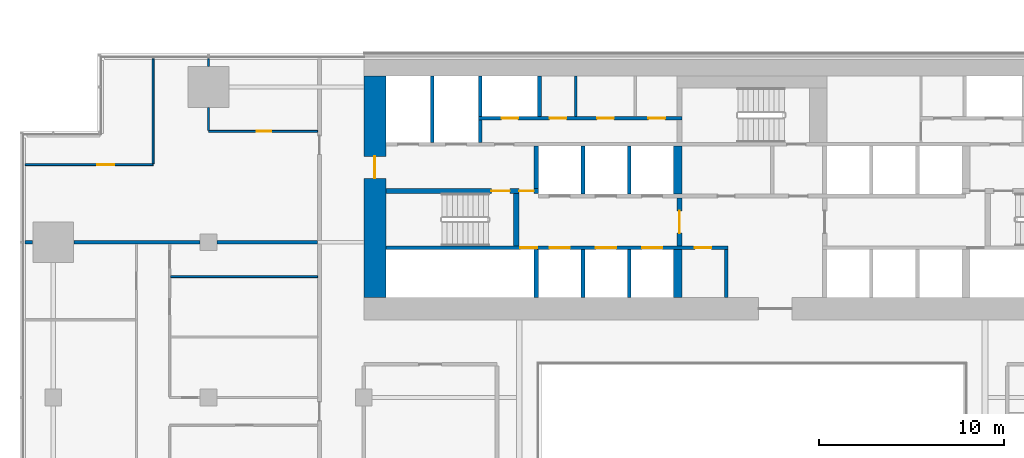
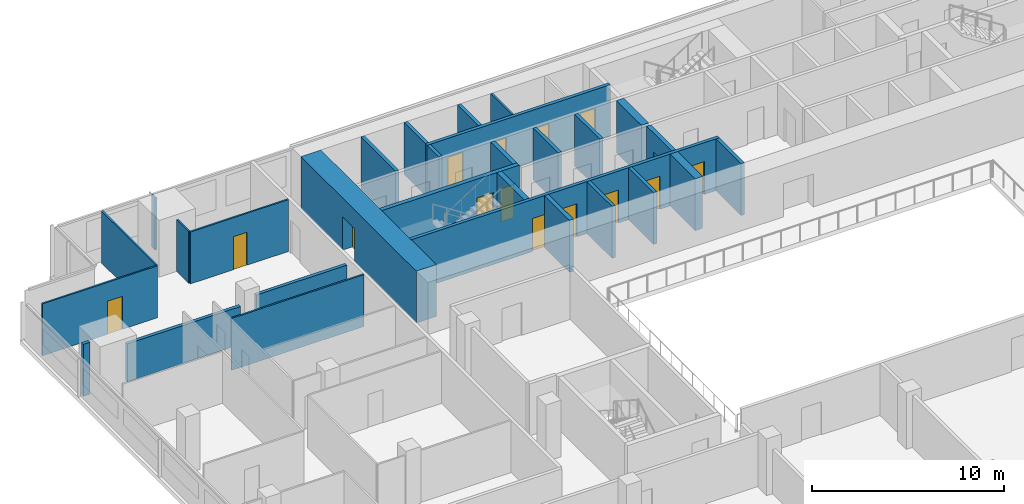
# One storey, part 19 of 25: 29 walls, 15 doors, 15 openings.
"""IFC4 building model written with IfcOpenShell, lengths in metres."""

from ifc_helpers import new_model, si_unit, direction, frame, frame_2d, origin, place, context, subcontext, project, spatial, rectangle, extrude, material, layer, layer_set, type_object, element, fill, save


model = new_model("IFC4")

# Units and contexts
model_context = context("Model", 3, precision=1e-05, world=origin(), true_north=direction((0.0, 1.0)))
body_context = subcontext(model_context, "Body", "Model", "MODEL_VIEW")
ifc_project = project(units=[si_unit("LENGTHUNIT", "METRE"), si_unit("AREAUNIT", "SQUARE_METRE"), si_unit("VOLUMEUNIT", "CUBIC_METRE"), si_unit("PLANEANGLEUNIT", "RADIAN"), si_unit("MASSUNIT", "GRAM", prefix="KILO")], contexts=[model_context])

# Site, building, storey
site_placement = place(None, origin())
site = spatial("IfcSite", under=ifc_project, at=site_placement, CompositionType="ELEMENT")
building_placement = place(site_placement, origin())
building = spatial("IfcBuilding", under=site, at=building_placement, Name="Saffron Gate Tower", CompositionType="ELEMENT")
storey_placement = place(building_placement, frame((0.0, 0.0, 80.39990234375)))
storey = spatial("IfcBuildingStorey", under=building, at=storey_placement, Name="L19", CompositionType="ELEMENT", Elevation=80.39990234375)

# Wall, opening, door
ifc_material_1 = material(Name="Concrete C70", Category="concrete")
ifc_layer_1 = layer(ifc_material_1, 1.199951171875)
ifc_layer_set_1 = layer_set([ifc_layer_1], Name="CW1 RC core wall 1200 C70")
wall_type_1 = type_object("IfcWallType", Name="CW1 RC core wall 1200 C70", PredefinedType="SOLIDWALL", material=ifc_layer_set_1)
wall_1_placement = place(storey_placement, frame((67.199951171875, 62.39990234375, 0.0), z_axis=(0.0, 0.0, 1.0), x_axis=(0.0, 1.0, 0.0)))
wall_1 = element("IfcWall", 1, at=wall_1_placement, inside=storey, type_object=wall_type_1, Name="Wall CW1-L19-3", PredefinedType="SOLIDWALL", context=body_context, shape_type="SweptSolid", body=[
    extrude(rectangle(XDim=12.0, YDim=1.199951171875, at=frame_2d((6.0, 0.0))), origin(), (0.0, 0.0, 1.0), 3.300048828125),
])
opening_1_placement = place(wall_1_placement, frame((6.449951171875, 0.0, 0.0)))
opening_1 = element("IfcOpeningElement", 2, at=opening_1_placement, cuts=wall_1, Name="Opening CR-10", PredefinedType="OPENING", context=body_context, shape_type="SweptSolid", body=[
    extrude(rectangle(XDim=1.199951171875, YDim=2.10009765625, at=frame_2d((0.60009765625, 1.050048828125))), frame((0.0, 0.60986328125, 0.0), z_axis=(0.0, -1.0, 0.0), x_axis=(1.0, 0.0, 0.0)), (0.0, 0.0, 1.0), 1.219970703125),
])
ifc_material_2 = material(Name="Steel fire door set", Category="steel")
door_type_1 = type_object("IfcDoorType", Name="CD7 Core entrance door 1200x2100 EI 120", OperationType="NOTDEFINED", PredefinedType="DOOR", material=ifc_material_2)
door_1_placement = place(opening_1_placement, origin())
door_1 = element("IfcDoor", 3, at=door_1_placement, inside=storey, type_object=door_type_1, Name="DOOR CR-10", OperationType="SINGLE_SWING_LEFT", OverallHeight=2.10009765625, OverallWidth=1.199951171875, PredefinedType="DOOR", context=body_context, shape_type="SweptSolid", body=[
    extrude(rectangle(XDim=1.199951171875, YDim=2.10009765625, at=frame_2d((0.60009765625, 1.050048828125))), frame((0.0, 0.02490234375, 0.0), z_axis=(0.0, -1.0, 0.0), x_axis=(1.0, 0.0, 0.0)), (0.0, 0.0, 1.0), 0.050048828125),
])
fill(opening_1, door_1)

# Walls
ifc_material_3 = material(Name="Gypsum board partition on steel studs", Category="steel")
ifc_layer_2 = layer(ifc_material_3, 0.199951171875)
ifc_layer_set_2 = layer_set([ifc_layer_2], Name="CW10 Core partition 200")
wall_type_2 = type_object("IfcWallType", Name="CW10 Core partition 200", PredefinedType="PARTITIONING", material=ifc_layer_set_2)
wall_2_placement = place(storey_placement, frame((86.199951171875, 62.39990234375, 0.0), z_axis=(0.0, 0.0, 1.0), x_axis=(0.0, 1.0, 0.0)))
element("IfcWall", 4, at=wall_2_placement, inside=storey, type_object=wall_type_2, Name="Wall CW10-L19-9", PredefinedType="PARTITIONING", context=body_context, shape_type="SweptSolid", body=[
    extrude(rectangle(XDim=2.60009765625, YDim=0.199951171875, at=frame_2d((1.300048828125, 0.0))), origin(), (0.0, 0.0, 1.0), 3.300048828125),
])
ifc_layer_3 = layer(ifc_material_1, 0.25)
ifc_layer_set_3 = layer_set([ifc_layer_3], Name="CW2 RC core wall 250 C70")
wall_type_3 = type_object("IfcWallType", Name="CW2 RC core wall 250 C70", PredefinedType="SOLIDWALL", material=ifc_layer_set_3)
wall_3_placement = place(storey_placement, frame((75.925048828125, 62.39990234375, 0.0), z_axis=(0.0, 0.0, 1.0), x_axis=(0.0, 1.0, 0.0)))
element("IfcWall", 5, at=wall_3_placement, inside=storey, type_object=wall_type_3, Name="Wall CW2-L19-5", PredefinedType="SOLIDWALL", context=body_context, shape_type="SweptSolid", body=[
    extrude(rectangle(XDim=2.60009765625, YDim=0.25, at=frame_2d((1.300048828125, 0.0))), origin(), (0.0, 0.0, 1.0), 3.300048828125),
])

# Wall, opening, door
wall_4_placement = place(storey_placement, frame((83.675048828125, 65.199951171875, 0.0), z_axis=(0.0, 0.0, 1.0), x_axis=(0.0, 1.0, 0.0)))
wall_4 = element("IfcWall", 6, at=wall_4_placement, inside=storey, type_object=wall_type_3, Name="Wall CW2-L19-17", PredefinedType="SOLIDWALL", context=body_context, shape_type="SweptSolid", body=[
    extrude(rectangle(XDim=2.60009765625, YDim=0.25, at=frame_2d((1.300048828125, 0.0))), origin(), (0.0, 0.0, 1.0), 3.300048828125),
])
opening_2_placement = place(wall_4_placement, frame((0.699951171875, 0.0, 0.0)))
opening_2 = element("IfcOpeningElement", 7, at=opening_2_placement, cuts=wall_4, Name="Opening CR-07", PredefinedType="OPENING", context=body_context, shape_type="SweptSolid", body=[
    extrude(rectangle(XDim=1.199951171875, YDim=2.10009765625, at=frame_2d((0.60009765625, 1.050048828125))), frame((0.0, 0.135009765625, 0.0), z_axis=(0.0, -1.0, 0.0), x_axis=(1.0, 0.0, 0.0)), (0.0, 0.0, 1.0), 0.27001953125),
])
door_type_2 = type_object("IfcDoorType", Name="CD3 Lobby door 1200x2100 EI 120", OperationType="NOTDEFINED", PredefinedType="DOOR", material=ifc_material_2)
door_2_placement = place(opening_2_placement, origin())
door_2 = element("IfcDoor", 8, at=door_2_placement, inside=storey, type_object=door_type_2, Name="DOOR CR-07", OperationType="SINGLE_SWING_RIGHT", OverallHeight=2.10009765625, OverallWidth=1.199951171875, PredefinedType="DOOR", context=body_context, shape_type="SweptSolid", body=[
    extrude(rectangle(XDim=1.199951171875, YDim=2.10009765625, at=frame_2d((0.60009765625, 1.050048828125))), frame((0.0, 0.02490234375, 0.0), z_axis=(0.0, -1.0, 0.0), x_axis=(1.0, 0.0, 0.0)), (0.0, 0.0, 1.0), 0.050048828125),
])
fill(opening_2, door_2)

# Wall, openings, doors
wall_5_placement = place(storey_placement, frame((67.800048828125, 68.175048828125, 0.0), z_axis=(0.0, 0.0, 1.0), x_axis=(1.0, 0.0, 0.0)))
wall_5 = element("IfcWall", 9, at=wall_5_placement, inside=storey, type_object=wall_type_3, Name="Wall CW2-L19-29", PredefinedType="SOLIDWALL", context=body_context, shape_type="SweptSolid", body=[
    extrude(rectangle(XDim=8.25, YDim=0.25, at=frame_2d((4.125, 0.0))), origin(), (0.0, 0.0, 1.0), 3.300048828125),
])
opening_3_placement = place(wall_5_placement, frame((5.699951171875, 0.0, 0.0)))
opening_3 = element("IfcOpeningElement", 10, at=opening_3_placement, cuts=wall_5, Name="Opening CR-15", PredefinedType="OPENING", context=body_context, shape_type="SweptSolid", body=[
    extrude(rectangle(XDim=1.0, YDim=2.10009765625, at=frame_2d((0.5, 1.050048828125))), frame((0.0, 0.135009765625, 0.0), z_axis=(0.0, -1.0, 0.0), x_axis=(1.0, 0.0, 0.0)), (0.0, 0.0, 1.0), 0.27001953125),
])
opening_4_placement = place(wall_5_placement, frame((7.199951171875, 0.0, 0.0)))
opening_4 = element("IfcOpeningElement", 11, at=opening_4_placement, cuts=wall_5, Name="Opening CR-06", PredefinedType="OPENING", context=body_context, shape_type="SweptSolid", body=[
    extrude(rectangle(XDim=0.800048828125, YDim=2.10009765625, at=frame_2d((0.39990234375, 1.050048828125))), frame((0.0, 0.135009765625, 0.0), z_axis=(0.0, -1.0, 0.0), x_axis=(1.0, 0.0, 0.0)), (0.0, 0.0, 1.0), 0.27001953125),
])
door_type_3 = type_object("IfcDoorType", Name="CD5 Stair door 1000x2100 EI 120", OperationType="NOTDEFINED", PredefinedType="DOOR", material=ifc_material_2)
door_3_placement = place(opening_3_placement, origin())
door_3 = element("IfcDoor", 12, at=door_3_placement, inside=storey, type_object=door_type_3, Name="DOOR CR-15", OperationType="SINGLE_SWING_RIGHT", OverallHeight=2.10009765625, OverallWidth=1.0, PredefinedType="DOOR", context=body_context, shape_type="SweptSolid", body=[
    extrude(rectangle(XDim=1.0, YDim=2.10009765625, at=frame_2d((0.5, 1.050048828125))), frame((0.0, 0.02490234375, 0.0), z_axis=(0.0, -1.0, 0.0), x_axis=(1.0, 0.0, 0.0)), (0.0, 0.0, 1.0), 0.050048828125),
])
fill(opening_3, door_3)
door_type_4 = type_object("IfcDoorType", Name="CD6 Lobby door 800x2100 EI 120", OperationType="NOTDEFINED", PredefinedType="DOOR", material=ifc_material_2)
door_4_placement = place(opening_4_placement, origin())
door_4 = element("IfcDoor", 13, at=door_4_placement, inside=storey, type_object=door_type_4, Name="DOOR CR-06", OperationType="SINGLE_SWING_LEFT", OverallHeight=2.10009765625, OverallWidth=0.800048828125, PredefinedType="DOOR", context=body_context, shape_type="SweptSolid", body=[
    extrude(rectangle(XDim=0.800048828125, YDim=2.10009765625, at=frame_2d((0.39990234375, 1.050048828125))), frame((0.0, 0.02490234375, 0.0), z_axis=(0.0, -1.0, 0.0), x_axis=(1.0, 0.0, 0.0)), (0.0, 0.0, 1.0), 0.050048828125),
])
fill(opening_4, door_4)

# Walls
wall_6_placement = place(storey_placement, frame((75.925048828125, 68.300048828125, 0.0), z_axis=(0.0, 0.0, 1.0), x_axis=(0.0, 1.0, 0.0)))
element("IfcWall", 14, at=wall_6_placement, inside=storey, type_object=wall_type_3, Name="Wall CW2-L19-31", PredefinedType="SOLIDWALL", context=body_context, shape_type="SweptSolid", body=[
    extrude(rectangle(XDim=2.300048828125, YDim=0.25, at=frame_2d((1.14990234375, 0.0))), origin(), (0.0, 0.0, 1.0), 3.300048828125),
])
ifc_layer_4 = layer(ifc_material_1, 0.199951171875)
ifc_layer_set_4 = layer_set([ifc_layer_4], Name="CW3 RC core wall 200 C70")
wall_type_4 = type_object("IfcWallType", Name="CW3 RC core wall 200 C70", PredefinedType="SOLIDWALL", material=ifc_layer_set_4)
for number, where, z_axis, x_axis, name in (
    (15, (78.449951171875, 62.39990234375, 0.0), (0.0, 0.0, 1.0), (0.0, 1.0, 0.0), "Wall CW3-L19-6"),
    (16, (80.949951171875, 62.39990234375, 0.0), (0.0, 0.0, 1.0), (0.0, 1.0, 0.0), "Wall CW3-L19-7"),
):
    element("IfcWall", number, at=place(storey_placement, frame(where, z_axis=z_axis, x_axis=x_axis)), inside=storey, type_object=wall_type_4, Name=name, PredefinedType="SOLIDWALL", context=body_context, shape_type="SweptSolid", body=[
        extrude(rectangle(XDim=2.60009765625, YDim=0.199951171875, at=frame_2d((1.300048828125, 0.0))), origin(), (0.0, 0.0, 1.0), 3.300048828125),
    ])

# Wall, openings, doors
wall_7_placement = place(storey_placement, frame((67.800048828125, 65.10009765625, 0.0), z_axis=(0.0, 0.0, 1.0), x_axis=(1.0, 0.0, 0.0)))
wall_7 = element("IfcWall", 17, at=wall_7_placement, inside=storey, type_object=wall_type_4, Name="Wall CW3-L19-14", PredefinedType="SOLIDWALL", context=body_context, shape_type="SweptSolid", body=[
    extrude(rectangle(XDim=18.5, YDim=0.199951171875, at=frame_2d((9.25, 0.0))), origin(), (0.0, 0.0, 1.0), 3.300048828125),
])
opening_5_placement = place(wall_7_placement, frame((7.27001953125, 0.0, 0.0)))
opening_5 = element("IfcOpeningElement", 18, at=opening_5_placement, cuts=wall_7, Name="Opening CR-49", PredefinedType="OPENING", context=body_context, shape_type="SweptSolid", body=[
    extrude(rectangle(XDim=0.89990234375, YDim=2.10009765625, at=frame_2d((0.449951171875, 1.050048828125))), frame((0.0, 0.10986328125, 0.0), z_axis=(0.0, -1.0, 0.0), x_axis=(1.0, 0.0, 0.0)), (0.0, 0.0, 1.0), 0.219970703125),
])
opening_6_placement = place(wall_7_placement, frame((8.85009765625, 0.0, 0.0)))
opening_6 = element("IfcOpeningElement", 19, at=opening_6_placement, cuts=wall_7, Name="Opening LD-LR1", PredefinedType="OPENING", context=body_context, shape_type="SweptSolid", body=[
    extrude(rectangle(XDim=1.10009765625, YDim=2.10009765625, at=frame_2d((0.550048828125, 1.050048828125))), frame((0.0, 0.10986328125, 0.0), z_axis=(0.0, -1.0, 0.0), x_axis=(1.0, 0.0, 0.0)), (0.0, 0.0, 1.0), 0.219970703125),
])
opening_7_placement = place(wall_7_placement, frame((11.35009765625, 0.0, 0.0)))
opening_7 = element("IfcOpeningElement", 20, at=opening_7_placement, cuts=wall_7, Name="Opening LD-LR2", PredefinedType="OPENING", context=body_context, shape_type="SweptSolid", body=[
    extrude(rectangle(XDim=1.10009765625, YDim=2.10009765625, at=frame_2d((0.550048828125, 1.050048828125))), frame((0.0, 0.10986328125, 0.0), z_axis=(0.0, -1.0, 0.0), x_axis=(1.0, 0.0, 0.0)), (0.0, 0.0, 1.0), 0.219970703125),
])
opening_8_placement = place(wall_7_placement, frame((13.85009765625, 0.0, 0.0)))
opening_8 = element("IfcOpeningElement", 21, at=opening_8_placement, cuts=wall_7, Name="Opening LD-LR3", PredefinedType="OPENING", context=body_context, shape_type="SweptSolid", body=[
    extrude(rectangle(XDim=1.10009765625, YDim=2.10009765625, at=frame_2d((0.550048828125, 1.050048828125))), frame((0.0, 0.10986328125, 0.0), z_axis=(0.0, -1.0, 0.0), x_axis=(1.0, 0.0, 0.0)), (0.0, 0.0, 1.0), 0.219970703125),
])
opening_9_placement = place(wall_7_placement, frame((16.699951171875, 0.0, 0.0)))
opening_9 = element("IfcOpeningElement", 22, at=opening_9_placement, cuts=wall_7, Name="Opening CR-69", PredefinedType="OPENING", context=body_context, shape_type="SweptSolid", body=[
    extrude(rectangle(XDim=0.89990234375, YDim=2.10009765625, at=frame_2d((0.449951171875, 1.050048828125))), frame((0.0, 0.10986328125, 0.0), z_axis=(0.0, -1.0, 0.0), x_axis=(1.0, 0.0, 0.0)), (0.0, 0.0, 1.0), 0.219970703125),
])
door_type_5 = type_object("IfcDoorType", Name="CD2 Riser door 900x2100 EI 60", OperationType="NOTDEFINED", PredefinedType="DOOR", material=ifc_material_2)
door_5_placement = place(opening_5_placement, origin())
door_5 = element("IfcDoor", 23, at=door_5_placement, inside=storey, type_object=door_type_5, Name="DOOR CR-49", OperationType="SINGLE_SWING_LEFT", OverallHeight=2.10009765625, OverallWidth=0.89990234375, PredefinedType="DOOR", context=body_context, shape_type="SweptSolid", body=[
    extrude(rectangle(XDim=0.89990234375, YDim=2.10009765625, at=frame_2d((0.449951171875, 1.050048828125))), frame((0.0, 0.02490234375, 0.0), z_axis=(0.0, -1.0, 0.0), x_axis=(1.0, 0.0, 0.0)), (0.0, 0.0, 1.0), 0.050048828125),
])
fill(opening_5, door_5)
door_type_6 = type_object("IfcDoorType", Name="CD9 Room door 900x2100 EI 60", OperationType="NOTDEFINED", PredefinedType="DOOR", material=ifc_material_2)
door_6_placement = place(opening_9_placement, origin())
door_6 = element("IfcDoor", 24, at=door_6_placement, inside=storey, type_object=door_type_6, Name="DOOR CR-69", OperationType="SINGLE_SWING_RIGHT", OverallHeight=2.10009765625, OverallWidth=0.89990234375, PredefinedType="DOOR", context=body_context, shape_type="SweptSolid", body=[
    extrude(rectangle(XDim=0.89990234375, YDim=2.10009765625, at=frame_2d((0.449951171875, 1.050048828125))), frame((0.0, 0.02490234375, 0.0), z_axis=(0.0, -1.0, 0.0), x_axis=(1.0, 0.0, 0.0)), (0.0, 0.0, 1.0), 0.050048828125),
])
fill(opening_9, door_6)
ifc_material_4 = material(Name="Stainless steel landing door", Category="steel")
door_type_7 = type_object("IfcDoorType", Name="LD Lift landing door 1100x2100 EI 120", OperationType="SLIDING_TO_LEFT", PredefinedType="DOOR", material=ifc_material_4)
door_7_placement = place(opening_6_placement, origin())
door_7 = element("IfcDoor", 25, at=door_7_placement, inside=storey, type_object=door_type_7, Name="LANDING DOOR LD-LR1", OperationType="SLIDING_TO_LEFT", OverallHeight=2.10009765625, OverallWidth=1.10009765625, PredefinedType="DOOR", context=body_context, shape_type="SweptSolid", body=[
    extrude(rectangle(XDim=1.10009765625, YDim=2.10009765625, at=frame_2d((0.550048828125, 1.050048828125))), frame((0.0, 0.02490234375, 0.0), z_axis=(0.0, -1.0, 0.0), x_axis=(1.0, 0.0, 0.0)), (0.0, 0.0, 1.0), 0.050048828125),
])
fill(opening_6, door_7)
door_8_placement = place(opening_7_placement, origin())
door_8 = element("IfcDoor", 26, at=door_8_placement, inside=storey, type_object=door_type_7, Name="LANDING DOOR LD-LR2", OperationType="SLIDING_TO_LEFT", OverallHeight=2.10009765625, OverallWidth=1.10009765625, PredefinedType="DOOR", context=body_context, shape_type="SweptSolid", body=[
    extrude(rectangle(XDim=1.10009765625, YDim=2.10009765625, at=frame_2d((0.550048828125, 1.050048828125))), frame((0.0, 0.02490234375, 0.0), z_axis=(0.0, -1.0, 0.0), x_axis=(1.0, 0.0, 0.0)), (0.0, 0.0, 1.0), 0.050048828125),
])
fill(opening_7, door_8)
door_9_placement = place(opening_8_placement, origin())
door_9 = element("IfcDoor", 27, at=door_9_placement, inside=storey, type_object=door_type_7, Name="LANDING DOOR LD-LR3", OperationType="SLIDING_TO_LEFT", OverallHeight=2.10009765625, OverallWidth=1.10009765625, PredefinedType="DOOR", context=body_context, shape_type="SweptSolid", body=[
    extrude(rectangle(XDim=1.10009765625, YDim=2.10009765625, at=frame_2d((0.550048828125, 1.050048828125))), frame((0.0, 0.02490234375, 0.0), z_axis=(0.0, -1.0, 0.0), x_axis=(1.0, 0.0, 0.0)), (0.0, 0.0, 1.0), 0.050048828125),
])
fill(opening_8, door_9)

# Walls
for number, where, z_axis, x_axis, name in (
    (28, (78.449951171875, 68.0, 0.0), (0.0, 0.0, 1.0), (0.0, 1.0, 0.0), "Wall CW3-L19-21"),
    (29, (80.949951171875, 68.0, 0.0), (0.0, 0.0, 1.0), (0.0, 1.0, 0.0), "Wall CW3-L19-22"),
):
    element("IfcWall", number, at=place(storey_placement, frame(where, z_axis=z_axis, x_axis=x_axis)), inside=storey, type_object=wall_type_4, Name=name, PredefinedType="SOLIDWALL", context=body_context, shape_type="SweptSolid", body=[
        extrude(rectangle(XDim=2.60009765625, YDim=0.199951171875, at=frame_2d((1.300048828125, 0.0))), origin(), (0.0, 0.0, 1.0), 3.300048828125),
    ])
wall_8_placement = place(storey_placement, frame((70.300048828125, 70.800048828125, 0.0), z_axis=(0.0, 0.0, 1.0), x_axis=(0.0, 1.0, 0.0)))
element("IfcWall", 30, at=wall_8_placement, inside=storey, type_object=wall_type_4, Name="Wall CW3-L19-34", PredefinedType="SOLIDWALL", context=body_context, shape_type="SweptSolid", body=[
    extrude(rectangle(XDim=3.599853515625, YDim=0.199951171875, at=frame_2d((1.7998046875, 0.0))), origin(), (0.0, 0.0, 1.0), 3.300048828125),
])
wall_9_placement = place(storey_placement, frame((72.89990234375, 70.800048828125, 0.0), z_axis=(0.0, 0.0, 1.0), x_axis=(0.0, 1.0, 0.0)))
element("IfcWall", 31, at=wall_9_placement, inside=storey, type_object=wall_type_4, Name="Wall CW3-L19-35", PredefinedType="SOLIDWALL", context=body_context, shape_type="SweptSolid", body=[
    extrude(rectangle(XDim=1.199951171875, YDim=0.199951171875, at=frame_2d((0.60009765625, 0.0))), origin(), (0.0, 0.0, 1.0), 3.300048828125),
])

# Wall, openings, doors
wall_10_placement = place(storey_placement, frame((72.800048828125, 72.10009765625, 0.0), z_axis=(0.0, 0.0, 1.0), x_axis=(1.0, 0.0, 0.0)))
wall_10 = element("IfcWall", 32, at=wall_10_placement, inside=storey, type_object=wall_type_4, Name="Wall CW3-L19-41", PredefinedType="SOLIDWALL", context=body_context, shape_type="SweptSolid", body=[
    extrude(rectangle(XDim=11.0, YDim=0.199951171875, at=frame_2d((5.5, 0.0))), origin(), (0.0, 0.0, 1.0), 3.300048828125),
])
opening_10_placement = place(wall_10_placement, frame((1.25, 0.0, 0.0)))
opening_10 = element("IfcOpeningElement", 33, at=opening_10_placement, cuts=wall_10, Name="Opening CR-71", PredefinedType="OPENING", context=body_context, shape_type="SweptSolid", body=[
    extrude(rectangle(XDim=0.89990234375, YDim=2.10009765625, at=frame_2d((0.449951171875, 1.050048828125))), frame((0.0, 0.10986328125, 0.0), z_axis=(0.0, -1.0, 0.0), x_axis=(1.0, 0.0, 0.0)), (0.0, 0.0, 1.0), 0.219970703125),
])
opening_11_placement = place(wall_10_placement, frame((3.85009765625, 0.0, 0.0)))
opening_11 = element("IfcOpeningElement", 34, at=opening_11_placement, cuts=wall_10, Name="Opening CR-55", PredefinedType="OPENING", context=body_context, shape_type="SweptSolid", body=[
    extrude(rectangle(XDim=0.89990234375, YDim=2.10009765625, at=frame_2d((0.449951171875, 1.050048828125))), frame((0.0, 0.10986328125, 0.0), z_axis=(0.0, -1.0, 0.0), x_axis=(1.0, 0.0, 0.0)), (0.0, 0.0, 1.0), 0.219970703125),
])
opening_12_placement = place(wall_10_placement, frame((6.419921875, 0.0, 0.0)))
opening_12 = element("IfcOpeningElement", 35, at=opening_12_placement, cuts=wall_10, Name="Opening CR-58", PredefinedType="OPENING", context=body_context, shape_type="SweptSolid", body=[
    extrude(rectangle(XDim=0.89990234375, YDim=2.10009765625, at=frame_2d((0.449951171875, 1.050048828125))), frame((0.0, 0.10986328125, 0.0), z_axis=(0.0, -1.0, 0.0), x_axis=(1.0, 0.0, 0.0)), (0.0, 0.0, 1.0), 0.219970703125),
])
opening_13_placement = place(wall_10_placement, frame((9.195068359375, 0.0, 0.0)))
opening_13 = element("IfcOpeningElement", 36, at=opening_13_placement, cuts=wall_10, Name="Opening CR-59", PredefinedType="OPENING", context=body_context, shape_type="SweptSolid", body=[
    extrude(rectangle(XDim=0.89990234375, YDim=2.10009765625, at=frame_2d((0.449951171875, 1.050048828125))), frame((0.0, 0.10986328125, 0.0), z_axis=(0.0, -1.0, 0.0), x_axis=(1.0, 0.0, 0.0)), (0.0, 0.0, 1.0), 0.219970703125),
])
door_10_placement = place(opening_10_placement, origin())
door_10 = element("IfcDoor", 37, at=door_10_placement, inside=storey, type_object=door_type_5, Name="DOOR CR-71", OperationType="SINGLE_SWING_LEFT", OverallHeight=2.10009765625, OverallWidth=0.89990234375, PredefinedType="DOOR", context=body_context, shape_type="SweptSolid", body=[
    extrude(rectangle(XDim=0.89990234375, YDim=2.10009765625, at=frame_2d((0.449951171875, 1.050048828125))), frame((0.0, 0.02490234375, 0.0), z_axis=(0.0, -1.0, 0.0), x_axis=(1.0, 0.0, 0.0)), (0.0, 0.0, 1.0), 0.050048828125),
])
fill(opening_10, door_10)
door_11_placement = place(opening_11_placement, origin())
door_11 = element("IfcDoor", 38, at=door_11_placement, inside=storey, type_object=door_type_6, Name="DOOR CR-55", OperationType="SINGLE_SWING_LEFT", OverallHeight=2.10009765625, OverallWidth=0.89990234375, PredefinedType="DOOR", context=body_context, shape_type="SweptSolid", body=[
    extrude(rectangle(XDim=0.89990234375, YDim=2.10009765625, at=frame_2d((0.449951171875, 1.050048828125))), frame((0.0, 0.02490234375, 0.0), z_axis=(0.0, -1.0, 0.0), x_axis=(1.0, 0.0, 0.0)), (0.0, 0.0, 1.0), 0.050048828125),
])
fill(opening_11, door_11)
door_12_placement = place(opening_12_placement, origin())
door_12 = element("IfcDoor", 39, at=door_12_placement, inside=storey, type_object=door_type_6, Name="DOOR CR-58", OperationType="SINGLE_SWING_LEFT", OverallHeight=2.10009765625, OverallWidth=0.89990234375, PredefinedType="DOOR", context=body_context, shape_type="SweptSolid", body=[
    extrude(rectangle(XDim=0.89990234375, YDim=2.10009765625, at=frame_2d((0.449951171875, 1.050048828125))), frame((0.0, 0.02490234375, 0.0), z_axis=(0.0, -1.0, 0.0), x_axis=(1.0, 0.0, 0.0)), (0.0, 0.0, 1.0), 0.050048828125),
])
fill(opening_12, door_12)
door_13_placement = place(opening_13_placement, origin())
door_13 = element("IfcDoor", 40, at=door_13_placement, inside=storey, type_object=door_type_6, Name="DOOR CR-59", OperationType="SINGLE_SWING_LEFT", OverallHeight=2.10009765625, OverallWidth=0.89990234375, PredefinedType="DOOR", context=body_context, shape_type="SweptSolid", body=[
    extrude(rectangle(XDim=0.89990234375, YDim=2.10009765625, at=frame_2d((0.449951171875, 1.050048828125))), frame((0.0, 0.02490234375, 0.0), z_axis=(0.0, -1.0, 0.0), x_axis=(1.0, 0.0, 0.0)), (0.0, 0.0, 1.0), 0.050048828125),
])
fill(opening_13, door_13)

# Walls
for number, where, z_axis, x_axis, name in (
    (41, (72.89990234375, 72.199951171875, 0.0), (0.0, 0.0, 1.0), (0.0, 1.0, 0.0), "Wall CW3-L19-43"),
    (42, (76.10009765625, 72.199951171875, 0.0), (0.0, 0.0, 1.0), (0.0, 1.0, 0.0), "Wall CW3-L19-44"),
):
    element("IfcWall", number, at=place(storey_placement, frame(where, z_axis=z_axis, x_axis=x_axis)), inside=storey, type_object=wall_type_4, Name=name, PredefinedType="SOLIDWALL", context=body_context, shape_type="SweptSolid", body=[
        extrude(rectangle(XDim=2.199951171875, YDim=0.199951171875, at=frame_2d((1.10009765625, 0.0))), origin(), (0.0, 0.0, 1.0), 3.300048828125),
    ])
ifc_layer_5 = layer(ifc_material_1, 0.449951171875)
ifc_layer_set_5 = layer_set([ifc_layer_5], Name="CW4 RC core wall 450 C70")
wall_type_5 = type_object("IfcWallType", Name="CW4 RC core wall 450 C70", PredefinedType="SOLIDWALL", material=ifc_layer_set_5)
for number, where, z_axis, x_axis, name in (
    (43, (83.574951171875, 62.39990234375, 0.0), (0.0, 0.0, 1.0), (0.0, 1.0, 0.0), "Wall CW4-L19-8"),
    (44, (83.574951171875, 68.0, 0.0), (0.0, 0.0, 1.0), (0.0, 1.0, 0.0), "Wall CW4-L19-23"),
):
    element("IfcWall", number, at=place(storey_placement, frame(where, z_axis=z_axis, x_axis=x_axis)), inside=storey, type_object=wall_type_5, Name=name, PredefinedType="SOLIDWALL", context=body_context, shape_type="SweptSolid", body=[
        extrude(rectangle(XDim=2.60009765625, YDim=0.449951171875, at=frame_2d((1.300048828125, 0.0))), origin(), (0.0, 0.0, 1.0), 3.300048828125),
    ])
ifc_layer_6 = layer(ifc_material_1, 0.300048828125)
ifc_layer_set_6 = layer_set([ifc_layer_6], Name="CW5 RC core wall 300 C70")
wall_type_6 = type_object("IfcWallType", Name="CW5 RC core wall 300 C70", PredefinedType="SOLIDWALL", material=ifc_layer_set_6)
wall_11_placement = place(storey_placement, frame((74.85009765625, 65.199951171875, 0.0), z_axis=(0.0, 0.0, 1.0), x_axis=(0.0, 1.0, 0.0)))
element("IfcWall", 45, at=wall_11_placement, inside=storey, type_object=wall_type_6, Name="Wall CW5-L19-16", PredefinedType="SOLIDWALL", context=body_context, shape_type="SweptSolid", body=[
    extrude(rectangle(XDim=2.85009765625, YDim=0.300048828125, at=frame_2d((1.425048828125, 0.0))), origin(), (0.0, 0.0, 1.0), 3.300048828125),
])
ifc_layer_7 = layer(ifc_material_3, 0.1201171875)
ifc_layer_set_7 = layer_set([ifc_layer_7], Name="CW8 Core partition 120")
wall_type_7 = type_object("IfcWallType", Name="CW8 Core partition 120", PredefinedType="PARTITIONING", material=ifc_layer_set_7)
wall_12_placement = place(storey_placement, frame((78.06005859375, 72.199951171875, 0.0), z_axis=(0.0, 0.0, 1.0), x_axis=(0.0, 1.0, 0.0)))
element("IfcWall", 46, at=wall_12_placement, inside=storey, type_object=wall_type_7, Name="Wall CW8-L19-45", PredefinedType="PARTITIONING", context=body_context, shape_type="SweptSolid", body=[
    extrude(rectangle(XDim=2.199951171875, YDim=0.1201171875, at=frame_2d((1.10009765625, 0.0))), origin(), (0.0, 0.0, 1.0), 3.300048828125),
])
ifc_material_5 = material(Name="Plasterboard on steel studs", Category="steel")
ifc_layer_8 = layer(ifc_material_5, 0.10009765625)
ifc_layer_set_8 = layer_set([ifc_layer_8], Name="PW1 Partition 100")
wall_type_8 = type_object("IfcWallType", Name="PW1 Partition 100", PredefinedType="PARTITIONING", material=ifc_layer_set_8)
wall_13_placement = place(storey_placement, frame((56.14990234375, 63.543212890625, 0.0), z_axis=(0.0, 0.0, 1.0), x_axis=(1.0, 0.0, 0.0)))
element("IfcWall", 47, at=wall_13_placement, inside=storey, type_object=wall_type_8, Name="Partition A5-39", PredefinedType="PARTITIONING", context=body_context, shape_type="SweptSolid", body=[
    extrude(rectangle(XDim=7.9501953125, YDim=0.10009765625, at=frame_2d((3.97509765625, 0.0))), origin(), (0.0, 0.0, 1.0), 3.300048828125),
])

# Wall, opening, door
wall_14_placement = place(storey_placement, frame((48.280029296875, 69.60009765625, 0.0), z_axis=(0.0, 0.0, 1.0), x_axis=(1.0, 0.0, 0.0)))
wall_14 = element("IfcWall", 48, at=wall_14_placement, inside=storey, type_object=wall_type_8, Name="Partition A5-46", PredefinedType="PARTITIONING", context=body_context, shape_type="SweptSolid", body=[
    extrude(rectangle(XDim=6.919921875, YDim=0.10009765625, at=frame_2d((3.4599609375, 0.0))), origin(), (0.0, 0.0, 1.0), 3.300048828125),
])
opening_14_placement = place(wall_14_placement, frame((3.9052734375, 0.0, 0.0)))
opening_14 = element("IfcOpeningElement", 49, at=opening_14_placement, cuts=wall_14, Name="Opening A5-17", PredefinedType="OPENING", context=body_context, shape_type="SweptSolid", body=[
    extrude(rectangle(XDim=0.89990234375, YDim=2.10009765625, at=frame_2d((0.449951171875, 1.050048828125))), frame((0.0, 0.06005859375, 0.0), z_axis=(0.0, -1.0, 0.0), x_axis=(1.0, 0.0, 0.0)), (0.0, 0.0, 1.0), 0.1201171875),
])
ifc_material_6 = material(Name="Timber door set", Category="wood")
door_type_8 = type_object("IfcDoorType", Name="RD1 Room door 900x2100", OperationType="NOTDEFINED", PredefinedType="DOOR", material=ifc_material_6)
door_14_placement = place(opening_14_placement, origin())
door_14 = element("IfcDoor", 50, at=door_14_placement, inside=storey, type_object=door_type_8, Name="Door A5-17", OperationType="SINGLE_SWING_RIGHT", OverallHeight=2.10009765625, OverallWidth=0.89990234375, PredefinedType="DOOR", context=body_context, shape_type="SweptSolid", body=[
    extrude(rectangle(XDim=0.89990234375, YDim=2.10009765625, at=frame_2d((0.449951171875, 1.050048828125))), frame((0.0, 0.02490234375, 0.0), z_axis=(0.0, -1.0, 0.0), x_axis=(1.0, 0.0, 0.0)), (0.0, 0.0, 1.0), 0.050048828125),
])
fill(opening_14, door_14)

wall_15_placement = place(storey_placement, frame((58.199951171875, 71.39990234375, 0.0), z_axis=(0.0, 0.0, 1.0), x_axis=(1.0, 0.0, 0.0)))
wall_15 = element("IfcWall", 51, at=wall_15_placement, inside=storey, type_object=wall_type_8, Name="Partition A5-48", PredefinedType="PARTITIONING", context=body_context, shape_type="SweptSolid", body=[
    extrude(rectangle(XDim=5.900146484375, YDim=0.10009765625, at=frame_2d((2.9501953125, 0.0))), origin(), (0.0, 0.0, 1.0), 3.300048828125),
])
opening_15_placement = place(wall_15_placement, frame((2.60009765625, 0.0, 0.0)))
opening_15 = element("IfcOpeningElement", 52, at=opening_15_placement, cuts=wall_15, Name="Opening A5-30", PredefinedType="OPENING", context=body_context, shape_type="SweptSolid", body=[
    extrude(rectangle(XDim=0.800048828125, YDim=2.10009765625, at=frame_2d((0.39990234375, 1.050048828125))), frame((0.0, 0.06005859375, 0.0), z_axis=(0.0, -1.0, 0.0), x_axis=(1.0, 0.0, 0.0)), (0.0, 0.0, 1.0), 0.1201171875),
])
door_type_9 = type_object("IfcDoorType", Name="RD2 Bathroom door 800x2100", OperationType="NOTDEFINED", PredefinedType="DOOR", material=ifc_material_6)
door_15_placement = place(opening_15_placement, origin())
door_15 = element("IfcDoor", 53, at=door_15_placement, inside=storey, type_object=door_type_9, Name="Door A5-30", OperationType="SINGLE_SWING_RIGHT", OverallHeight=2.10009765625, OverallWidth=0.800048828125, PredefinedType="DOOR", context=body_context, shape_type="SweptSolid", body=[
    extrude(rectangle(XDim=0.800048828125, YDim=2.10009765625, at=frame_2d((0.39990234375, 1.050048828125))), frame((0.0, 0.02490234375, 0.0), z_axis=(0.0, -1.0, 0.0), x_axis=(1.0, 0.0, 0.0)), (0.0, 0.0, 1.0), 0.050048828125),
])
fill(opening_15, door_15)

# Walls
wall_16_placement = place(storey_placement, frame((55.199951171875, 75.320068359375, 0.0), z_axis=(0.0, 0.0, 1.0), x_axis=(0.0, -1.0, 0.0)))
element("IfcWall", 54, at=wall_16_placement, inside=storey, type_object=wall_type_8, Name="Partition A5-51", PredefinedType="PARTITIONING", context=body_context, shape_type="SweptSolid", body=[
    extrude(rectangle(XDim=5.670166015625, YDim=0.10009765625, at=frame_2d((2.8349609375, 0.0))), origin(), (0.0, 0.0, 1.0), 3.300048828125),
])
wall_17_placement = place(storey_placement, frame((58.199951171875, 72.679931640625, 0.0), z_axis=(0.0, 0.0, 1.0), x_axis=(0.0, -1.0, 0.0)))
element("IfcWall", 55, at=wall_17_placement, inside=storey, type_object=wall_type_8, Name="Partition A5-54", PredefinedType="PARTITIONING", context=body_context, shape_type="SweptSolid", body=[
    extrude(rectangle(XDim=1.22998046875, YDim=0.10009765625, at=frame_2d((0.614990234375, 0.0))), origin(), (0.0, 0.0, 1.0), 3.300048828125),
])
wall_18_placement = place(storey_placement, frame((58.199951171875, 75.320068359375, 0.0), z_axis=(0.0, 0.0, 1.0), x_axis=(0.0, -1.0, 0.0)))
element("IfcWall", 56, at=wall_18_placement, inside=storey, type_object=wall_type_8, Name="Partition A5-55", PredefinedType="PARTITIONING", context=body_context, shape_type="SweptSolid", body=[
    extrude(rectangle(XDim=0.400146484375, YDim=0.10009765625, at=frame_2d((0.2001953125, 0.0))), origin(), (0.0, 0.0, 1.0), 3.300048828125),
])
ifc_material_7 = material(Name="Clay brick masonry, rendered", Category="masonry")
ifc_layer_9 = layer(ifc_material_7, 0.199951171875)
ifc_layer_set_9 = layer_set([ifc_layer_9], Name="PW2 Demising wall 200")
wall_type_9 = type_object("IfcWallType", Name="PW2 Demising wall 200", PredefinedType="PARTITIONING", material=ifc_layer_set_9)
wall_19_placement = place(storey_placement, frame((48.280029296875, 65.39990234375, 0.0), z_axis=(0.0, 0.0, 1.0), x_axis=(1.0, 0.0, 0.0)))
element("IfcWall", 57, at=wall_19_placement, inside=storey, type_object=wall_type_9, Name="Wall A5-40", PredefinedType="PARTITIONING", context=body_context, shape_type="SweptSolid", body=[
    extrude(rectangle(XDim=0.39990234375, YDim=0.199951171875, at=frame_2d((0.199951171875, 0.0))), origin(), (0.0, 0.0, 1.0), 3.300048828125),
])
wall_20_placement = place(storey_placement, frame((50.919921875, 65.39990234375, 0.0), z_axis=(0.0, 0.0, 1.0), x_axis=(1.0, 0.0, 0.0)))
element("IfcWall", 58, at=wall_20_placement, inside=storey, type_object=wall_type_9, Name="Wall A5-41", PredefinedType="PARTITIONING", context=body_context, shape_type="SweptSolid", body=[
    extrude(rectangle(XDim=6.81005859375, YDim=0.199951171875, at=frame_2d((3.405029296875, 0.0))), origin(), (0.0, 0.0, 1.0), 2.41015625),
])
wall_21_placement = place(storey_placement, frame((58.669921875, 65.39990234375, 0.0), z_axis=(0.0, 0.0, 1.0), x_axis=(1.0, 0.0, 0.0)))
element("IfcWall", 59, at=wall_21_placement, inside=storey, type_object=wall_type_9, Name="Wall A5-42", PredefinedType="PARTITIONING", context=body_context, shape_type="SweptSolid", body=[
    extrude(rectangle(XDim=5.43017578125, YDim=0.199951171875, at=frame_2d((2.715087890625, 0.0))), origin(), (0.0, 0.0, 1.0), 2.800048828125),
])

save(model, "model.ifc")
